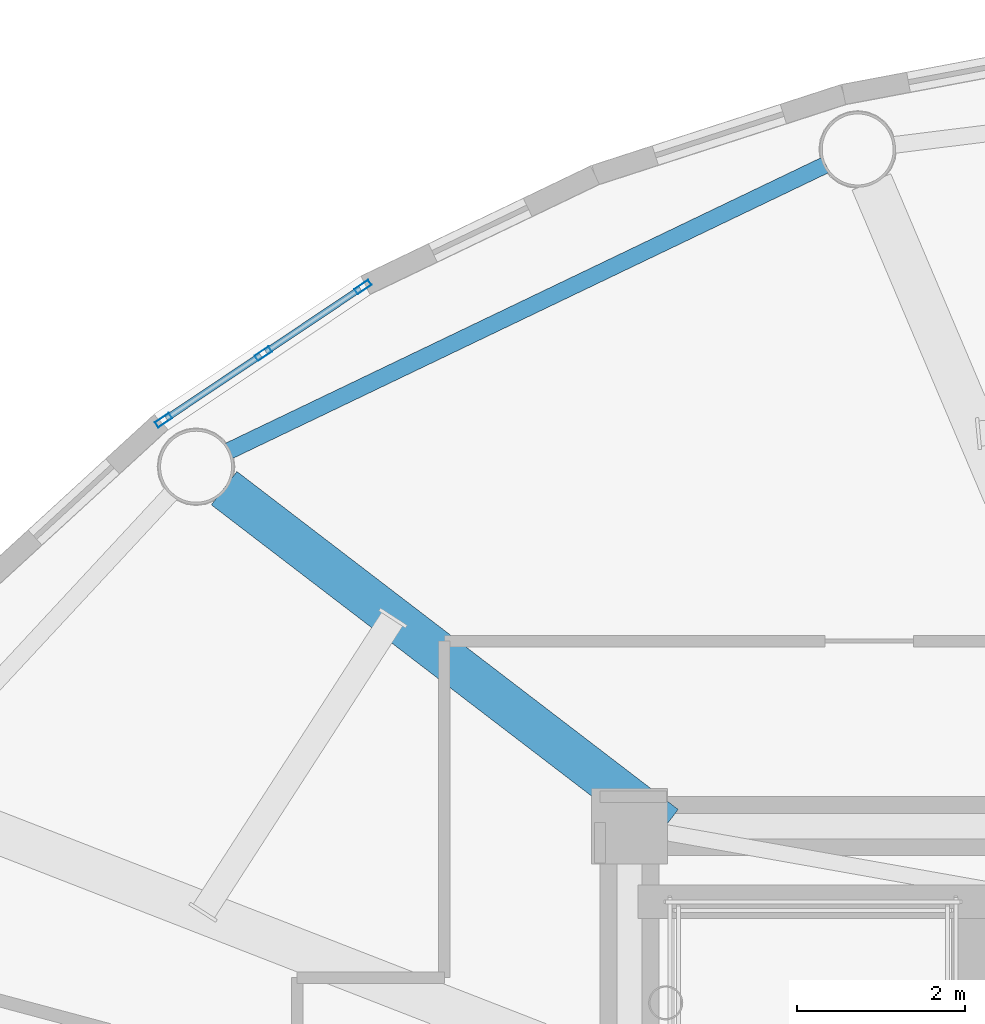
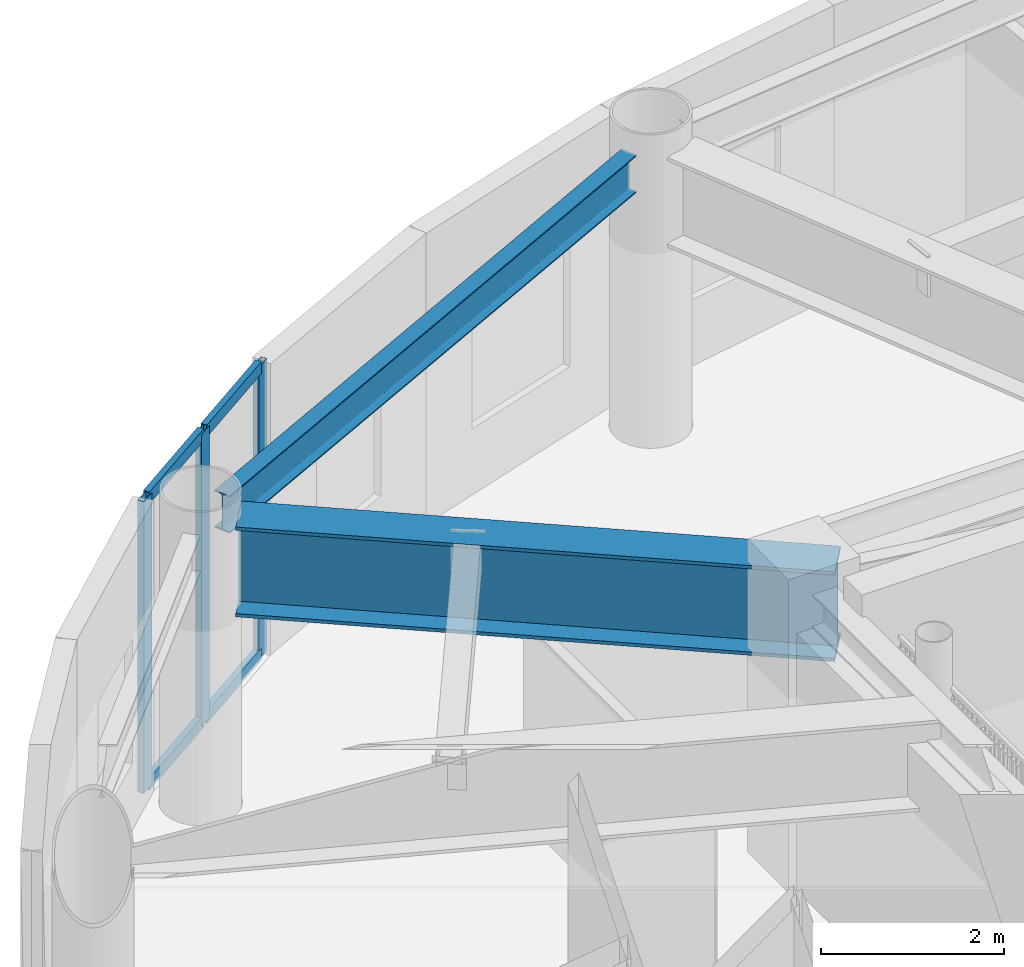
# One storey, part 8 of 26: 7 members, 2 beams, 1 element without a shape of its own.
"""IFC4 building model written with IfcOpenShell, lengths in metres."""

from ifc_helpers import new_model, si_unit, direction, frame, origin, origin_2d, place, context, subcontext, project, spatial, hollow_rectangle, i_section, extrude, source, transform, mapped, material, layer, layer_set, material_profile, profile_set, type_object, element, aggregate, save


model = new_model("IFC4")

# Units and contexts
model_context = context("Model", 3, precision=1e-05, world=origin(), true_north=direction((0.0, 1.0)))
body_context = subcontext(model_context, "Body", "Model", "MODEL_VIEW")
ifc_project = project(units=[si_unit("LENGTHUNIT", "METRE"), si_unit("AREAUNIT", "SQUARE_METRE"), si_unit("VOLUMEUNIT", "CUBIC_METRE"), si_unit("PLANEANGLEUNIT", "RADIAN"), si_unit("MASSUNIT", "GRAM", prefix="KILO")], contexts=[model_context])

# Site, building, storey
site_placement = place(None, origin())
site = spatial("IfcSite", under=ifc_project, at=site_placement, CompositionType="ELEMENT")
building_placement = place(site_placement, origin())
building = spatial("IfcBuilding", under=site, at=building_placement, Name="Linh Dai School and Residence Tower", CompositionType="ELEMENT")
storey_placement = place(building_placement, frame((0.0, 0.0, 346.800048828125)))
storey = spatial("IfcBuildingStorey", under=building, at=storey_placement, Name="L86", CompositionType="ELEMENT", Elevation=346.800048828125)

# Beams
ifc_material_1 = material(Name="Structural Steel S355JR", Category="steel")
ifc_material_profile_1 = material_profile(ifc_material_1, i_section(OverallWidth=0.199951171875, OverallDepth=0.5, WebThickness=0.01025390625, FlangeThickness=0.01611328125, FilletRadius=0.02099609375, at=origin_2d()), Name="IPE 500")
ifc_profile_set_1 = profile_set([ifc_material_profile_1], Name="Structural Steel S355JR")
beam_type_1 = type_object("IfcBeamType", Name="BM-RB50", PredefinedType="BEAM", material=ifc_profile_set_1)
beam_1_placement = place(storey_placement, frame((29.483642578125, 41.312255859375, 3.64990234375), z_axis=(-0.901701330417, -0.432359469335, 0.0), x_axis=(0.432359469335, -0.901701330417, 0.0)))
element("IfcBeam", 1, at=beam_1_placement, inside=storey, type_object=beam_type_1, Name="L86 Perimeter Elliptical Ring Beam 06", PredefinedType="BEAM", context=body_context, shape_type="SweptSolid", body=[
    extrude(i_section(OverallWidth=0.199951171875, OverallDepth=0.5, WebThickness=0.01025390625, FlangeThickness=0.01611328125, FilletRadius=0.02099609375, at=origin_2d()), origin(), (0.0, 0.0, 1.0), 7.88232421875),
])
ifc_material_profile_2 = material_profile(ifc_material_1, i_section(OverallWidth=0.5, OverallDepth=1.199951171875, WebThickness=0.02392578125, FlangeThickness=0.044921875, at=origin_2d()), Name="PG 1200x500x24x45")
ifc_profile_set_2 = profile_set([ifc_material_profile_2], Name="Structural Steel S355JR")
beam_type_2 = type_object("IfcBeamType", Name="BM-TG12", PredefinedType="BEAM", material=ifc_profile_set_2)
beam_2_placement = place(storey_placement, frame((27.5771484375, 33.449951171875, 3.300048828125), z_axis=(-0.793929753809, 0.608009495006, 0.0), x_axis=(-0.608009495006, -0.793929753809, 0.0)))
element("IfcBeam", 2, at=beam_2_placement, inside=storey, type_object=beam_type_2, Name="L86 Primary Radial Floor Girder 07", PredefinedType="BEAM", context=body_context, shape_type="SweptSolid", body=[
    extrude(i_section(OverallWidth=0.5, OverallDepth=1.199951171875, WebThickness=0.02392578125, FlangeThickness=0.044921875, at=origin_2d()), origin(), (0.0, 0.0, 1.0), 6.607666015625),
])

# Curtain wall, members
ifc_material_2 = material(Name="Aluminium Anodised Curtain Wall", Category="aluminium")
ifc_layer = layer(ifc_material_2, 0.199951171875)
ifc_layer_set = layer_set([ifc_layer], Name="Aluminium Anodised Curtain Wall")
curtain_wall_type = type_object("IfcCurtainWallType", Name="CW-SYS-6", PredefinedType="USERDEFINED", material=ifc_layer_set)
curtain_wall_placement = place(storey_placement, origin())
curtain_wall = element("IfcCurtainWall", 3, at=curtain_wall_placement, inside=storey, type_object=curtain_wall_type, Name="L86 CW6 Curtain Wall 15", ObjectType="UNITISED CURTAIN WALL", PredefinedType="USERDEFINED")
ifc_material_3 = material(Name="Aluminium Alloy 6063-T6", Category="aluminium")
ifc_material_profile_3 = material_profile(ifc_material_3, hollow_rectangle(XDim=0.074951171875, YDim=0.199951171875, WallThickness=0.00390625, at=origin_2d()), Name="RHS 200x75x4")
ifc_profile_set_3 = profile_set([ifc_material_profile_3], Name="Aluminium Alloy 6063-T6")
member_type_1 = type_object("IfcMemberType", Name="CW-SYS-6-MUL", PredefinedType="MULLION", material=ifc_profile_set_3)
shared_shape_1 = source(origin(), body_context, "Body", "SweptSolid", [
    extrude(hollow_rectangle(XDim=0.074951171875, YDim=0.199951171875, WallThickness=0.00390625, at=origin_2d()), origin(), (0.0, 0.0, 1.0), 3.89990234375),
])
member_1_placement = place(storey_placement, frame((21.612548828125, 38.275146484375, 0.0), z_axis=(0.0, 0.0, 1.0), x_axis=(-0.555970777144, 0.831201837679, 0.0)))
member_1 = element("IfcMember", 4, at=member_1_placement, type_object=member_type_1, Name="CW6 mullion 1", PredefinedType="MULLION", context=body_context, shape_type="MappedRepresentation", body=[
    mapped(shared_shape_1, transform((0.0, 0.0, 0.0), x_axis=(1.0, 0.0, 0.0), y_axis=(0.0, 1.0, 0.0), z_axis=(0.0, 0.0, 1.0), scale=1.0)),
])
member_2_placement = place(storey_placement, frame((22.796875, 39.067138671875, 0.0), z_axis=(0.0, 0.0, 1.0), x_axis=(-0.555970777144, 0.831201837679, 0.0)))
member_2 = element("IfcMember", 5, at=member_2_placement, type_object=member_type_1, Name="CW6 mullion 2", PredefinedType="MULLION", context=body_context, shape_type="MappedRepresentation", body=[
    mapped(shared_shape_1, transform((0.0, 0.0, 0.0), x_axis=(1.0, 0.0, 0.0), y_axis=(0.0, 1.0, 0.0), z_axis=(0.0, 0.0, 1.0), scale=1.0)),
])
member_3_placement = place(storey_placement, frame((23.98095703125, 39.859375, 0.0), z_axis=(0.0, 0.0, 1.0), x_axis=(-0.555970777144, 0.831201837679, 0.0)))
member_3 = element("IfcMember", 6, at=member_3_placement, type_object=member_type_1, Name="CW6 mullion 3", PredefinedType="MULLION", context=body_context, shape_type="MappedRepresentation", body=[
    mapped(shared_shape_1, transform((0.0, 0.0, 0.0), x_axis=(1.0, 0.0, 0.0), y_axis=(0.0, 1.0, 0.0), z_axis=(0.0, 0.0, 1.0), scale=1.0)),
])
ifc_material_profile_4 = material_profile(ifc_material_3, hollow_rectangle(XDim=0.074951171875, YDim=0.159912109375, WallThickness=0.00390625, at=origin_2d()), Name="RHS 160x75x4")
ifc_profile_set_4 = profile_set([ifc_material_profile_4], Name="Aluminium Alloy 6063-T6")
member_type_2 = type_object("IfcMemberType", Name="CW-SYS-6-TRN", PredefinedType="USERDEFINED", material=ifc_profile_set_4)
shared_shape_2 = source(origin(), body_context, "Body", "SweptSolid", [
    extrude(hollow_rectangle(XDim=0.074951171875, YDim=0.159912109375, WallThickness=0.00390625, at=origin_2d()), origin(), (0.0, 0.0, 1.0), 1.349609375),
])
member_4_placement = place(storey_placement, frame((21.643798828125, 38.2958984375, 0.037353515625), z_axis=(0.831158719791, 0.556035234959, 0.0), x_axis=(-0.556035234959, 0.831158719791, 0.0)))
member_4 = element("IfcMember", 7, at=member_4_placement, type_object=member_type_2, Name="CW6 transom 1.1", ObjectType="TRANSOM", PredefinedType="USERDEFINED", context=body_context, shape_type="MappedRepresentation", body=[
    mapped(shared_shape_2, transform((0.0, 0.0, 0.0), x_axis=(1.0, 0.0, 0.0), y_axis=(0.0, 1.0, 0.0), z_axis=(0.0, 0.0, 1.0), scale=1.0)),
])
member_5_placement = place(storey_placement, frame((21.643798828125, 38.2958984375, 3.862548828125), z_axis=(0.831158719791, 0.556035234959, 0.0), x_axis=(-0.556035234959, 0.831158719791, 0.0)))
member_5 = element("IfcMember", 8, at=member_5_placement, type_object=member_type_2, Name="CW6 transom 1.2", ObjectType="TRANSOM", PredefinedType="USERDEFINED", context=body_context, shape_type="MappedRepresentation", body=[
    mapped(shared_shape_2, transform((0.0, 0.0, 0.0), x_axis=(1.0, 0.0, 0.0), y_axis=(0.0, 1.0, 0.0), z_axis=(0.0, 0.0, 1.0), scale=1.0)),
])
shared_shape_3 = source(origin(), body_context, "Body", "SweptSolid", [
    extrude(hollow_rectangle(XDim=0.074951171875, YDim=0.159912109375, WallThickness=0.00390625, at=origin_2d()), origin(), (0.0, 0.0, 1.0), 1.349853515625),
])
member_6_placement = place(storey_placement, frame((22.827880859375, 39.087890625, 0.037353515625), z_axis=(0.831214631805, 0.555951648862, 0.0), x_axis=(-0.555951648862, 0.831214631805, 0.0)))
member_6 = element("IfcMember", 9, at=member_6_placement, type_object=member_type_2, Name="CW6 transom 2.1", ObjectType="TRANSOM", PredefinedType="USERDEFINED", context=body_context, shape_type="MappedRepresentation", body=[
    mapped(shared_shape_3, transform((0.0, 0.0, 0.0), x_axis=(1.0, 0.0, 0.0), y_axis=(0.0, 1.0, 0.0), z_axis=(0.0, 0.0, 1.0), scale=1.0)),
])
member_7_placement = place(storey_placement, frame((22.827880859375, 39.087890625, 3.862548828125), z_axis=(0.831214631805, 0.555951648862, 0.0), x_axis=(-0.555951648862, 0.831214631805, 0.0)))
member_7 = element("IfcMember", 10, at=member_7_placement, type_object=member_type_2, Name="CW6 transom 2.2", ObjectType="TRANSOM", PredefinedType="USERDEFINED", context=body_context, shape_type="MappedRepresentation", body=[
    mapped(shared_shape_3, transform((0.0, 0.0, 0.0), x_axis=(1.0, 0.0, 0.0), y_axis=(0.0, 1.0, 0.0), z_axis=(0.0, 0.0, 1.0), scale=1.0)),
])
aggregate(curtain_wall, [member_1, member_2, member_3, member_4, member_5, member_6, member_7])

save(model, "model.ifc")
